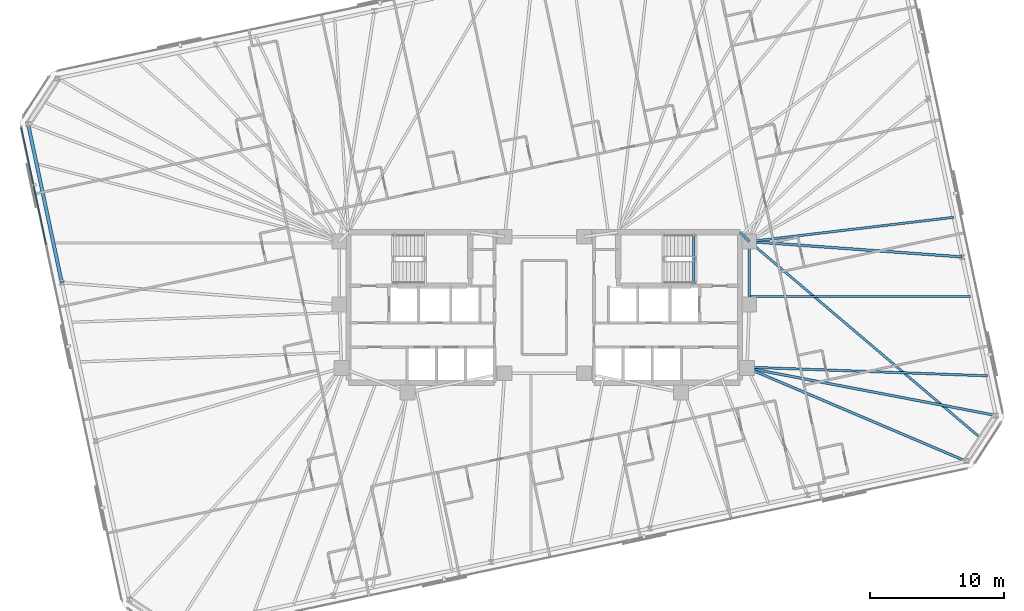
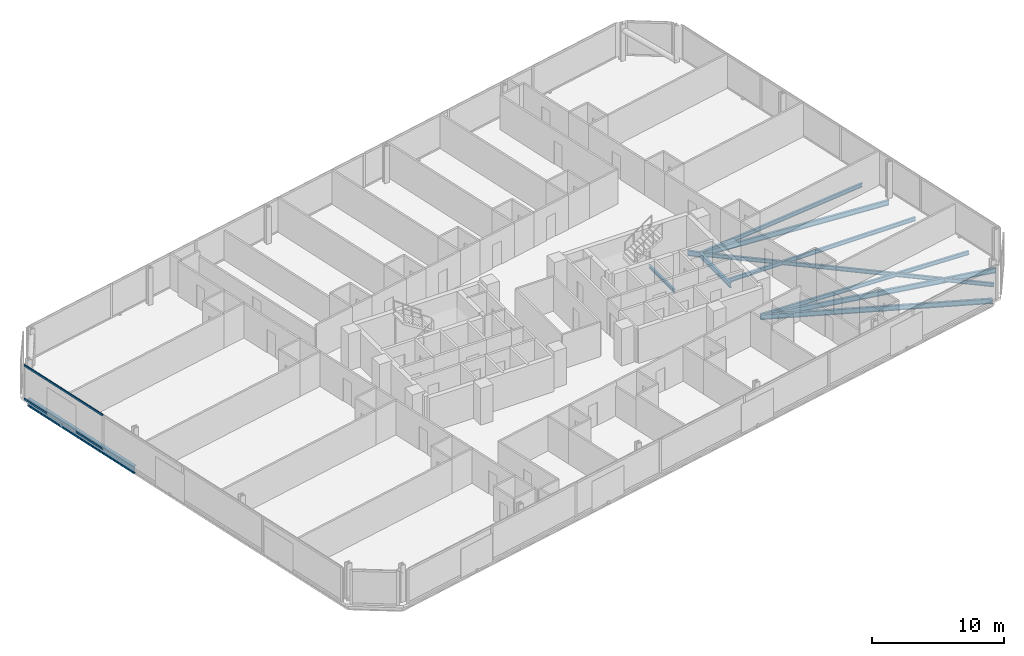
# One storey, part 8 of 20: 11 beams, 2 members, 1 element without a shape of its own.
"""IFC4 building model written with IfcOpenShell, lengths in metres."""

from ifc_helpers import new_model, si_unit, direction, frame, origin, origin_2d, place, context, subcontext, project, spatial, rectangle, i_section, extrude, material, material_profile, profile_set, type_object, element, aggregate, save


model = new_model("IFC4")

# Units and contexts
model_context = context("Model", 3, precision=1e-05, world=origin(), true_north=direction((0.0, 1.0)))
body_context = subcontext(model_context, "Body", "Model", "MODEL_VIEW")
ifc_project = project(units=[si_unit("LENGTHUNIT", "METRE"), si_unit("AREAUNIT", "SQUARE_METRE"), si_unit("VOLUMEUNIT", "CUBIC_METRE"), si_unit("PLANEANGLEUNIT", "RADIAN"), si_unit("MASSUNIT", "GRAM", prefix="KILO")], contexts=[model_context])

# Site, building, storey
site_placement = place(None, origin())
site = spatial("IfcSite", under=ifc_project, at=site_placement, CompositionType="ELEMENT")
building_placement = place(site_placement, origin())
building = spatial("IfcBuilding", under=site, at=building_placement, Name="Menara Jurai Vektor", CompositionType="ELEMENT")
storey_placement = place(building_placement, frame((0.0, 0.0, 158.199951171875)))
storey = spatial("IfcBuildingStorey", under=building, at=storey_placement, Name="L40", CompositionType="ELEMENT", Elevation=158.199951171875)

# Curtain wall, members
ifc_material_1 = material(Name="Anodised Pale Aluminium & Low-E Double Glazing", Category="aluminium")
curtain_wall_type = type_object("IfcCurtainWallType", Name="CW-BLK3", PredefinedType="NOTDEFINED", material=ifc_material_1)
curtain_wall_placement = place(storey_placement, origin())
curtain_wall = element("IfcCurtainWall", 1, at=curtain_wall_placement, inside=storey, type_object=curtain_wall_type, Name="Unitised Curtain Wall L40 F07", PredefinedType="NOTDEFINED")
ifc_material_2 = material(Name="Anodised Pale Aluminium Transom", Category="aluminium")
ifc_material_profile_1 = material_profile(ifc_material_2, rectangle(XDim=0.0849609375, YDim=0.175048828125, at=origin_2d()), Name="ALU TRN 85x175")
ifc_profile_set_1 = profile_set([ifc_material_profile_1], Name="Anodised Pale Aluminium Transom")
member_type = type_object("IfcMemberType", Name="CW-BLK3-TRN", PredefinedType="USERDEFINED", material=ifc_profile_set_1)
member_1_placement = place(storey_placement, frame((-38.896728515625, 13.378173828125, 0.04248046875), z_axis=(0.207899517354, -0.978150188204, 0.0), x_axis=(0.978150188204, 0.207899517354, 0.0)))
member_1 = element("IfcMember", 2, at=member_1_placement, type_object=member_type, Name="CW-03 transom 1.1", ObjectType="TRANSOM", PredefinedType="USERDEFINED", context=body_context, shape_type="SweptSolid", body=[
    extrude(rectangle(XDim=0.0849609375, YDim=0.175048828125, at=origin_2d()), origin(), (0.0, 0.0, 1.0), 8.882568359375),
])
member_2_placement = place(storey_placement, frame((-38.896728515625, 13.378173828125, 3.132568359375), z_axis=(0.207899517354, -0.978150188204, 0.0), x_axis=(0.978150188204, 0.207899517354, 0.0)))
member_2 = element("IfcMember", 3, at=member_2_placement, type_object=member_type, Name="CW-03 transom 1.2", ObjectType="TRANSOM", PredefinedType="USERDEFINED", context=body_context, shape_type="SweptSolid", body=[
    extrude(rectangle(XDim=0.0849609375, YDim=0.175048828125, at=origin_2d()), origin(), (0.0, 0.0, 1.0), 8.882568359375),
])
aggregate(curtain_wall, [member_1, member_2])

# Beams
ifc_material_3 = material(Name="Steel S355", Category="steel")
ifc_material_profile_2 = material_profile(ifc_material_3, i_section(OverallWidth=0.19091796875, OverallDepth=0.4599609375, WebThickness=0.010009765625, FlangeThickness=0.01611328125, FilletRadius=0.010009765625, at=origin_2d()), Name="UKB 457x191x82")
ifc_profile_set_2 = profile_set([ifc_material_profile_2], Name="Steel S355")
beam_type_1 = type_object("IfcBeamType", Name="STR-BM-457", PredefinedType="BEAM", material=ifc_profile_set_2)
beam_1_placement = place(storey_placement, frame((14.56005859375, 5.60009765625, -0.454833984375), z_axis=(0.701871936926, -0.712303154672, 0.0), x_axis=(0.712303154672, 0.701871936926, 0.0)))
element("IfcBeam", 4, at=beam_1_placement, inside=storey, type_object=beam_type_1, Name="Core Ring Header Girder L40-CHE-N2", PredefinedType="BEAM", context=body_context, shape_type="SweptSolid", body=[
    extrude(i_section(OverallWidth=0.19091796875, OverallDepth=0.4599609375, WebThickness=0.010009765625, FlangeThickness=0.01611328125, FilletRadius=0.010009765625, at=origin_2d()), origin(), (0.0, 0.0, 1.0), 0.98291015625),
])
beam_2_placement = place(storey_placement, frame((15.25, 0.219970703125, -0.454833984375), z_axis=(0.0, 1.0, 0.0), x_axis=(-1.0, 0.0, 0.0)))
element("IfcBeam", 5, at=beam_2_placement, inside=storey, type_object=beam_type_1, Name="Core Ring Header Girder L40-CHE-E1", PredefinedType="BEAM", context=body_context, shape_type="SweptSolid", body=[
    extrude(i_section(OverallWidth=0.19091796875, OverallDepth=0.4599609375, WebThickness=0.010009765625, FlangeThickness=0.01611328125, FilletRadius=0.010009765625, at=origin_2d()), origin(), (0.0, 0.0, 1.0), 4.679931640625),
])
beam_3_placement = place(storey_placement, frame((31.376220703125, -11.438720703125, -0.454833984375), z_axis=(-0.920069342045, 0.391755543458, 0.0), x_axis=(-0.391755543458, -0.920069342045, 0.0)))
element("IfcBeam", 6, at=beam_3_placement, inside=storey, type_object=beam_type_1, Name="Radial Floor Girder L40-S6", PredefinedType="BEAM", context=body_context, shape_type="SweptSolid", body=[
    extrude(i_section(OverallWidth=0.19091796875, OverallDepth=0.4599609375, WebThickness=0.010009765625, FlangeThickness=0.01611328125, FilletRadius=0.010009765625, at=origin_2d()), origin(), (0.0, 0.0, 1.0), 17.7119140625),
])
beam_4_placement = place(storey_placement, frame((33.588623046875, -8.031982421875, -0.454833984375), z_axis=(-0.982274660407, 0.187447303322, 0.0), x_axis=(-0.187447303322, -0.982274660407, 0.0)))
element("IfcBeam", 7, at=beam_4_placement, inside=storey, type_object=beam_type_1, Name="Radial Floor Girder L40-E1", PredefinedType="BEAM", context=body_context, shape_type="SweptSolid", body=[
    extrude(i_section(OverallWidth=0.19091796875, OverallDepth=0.4599609375, WebThickness=0.010009765625, FlangeThickness=0.01611328125, FilletRadius=0.010009765625, at=origin_2d()), origin(), (0.0, 0.0, 1.0), 18.842529296875),
])
beam_5_placement = place(storey_placement, frame((31.082763671875, 3.75634765625, -0.454833984375), z_axis=(-0.997401783921, 0.072039443584, 0.0), x_axis=(-0.072039443584, -0.997401783921, 0.0)))
element("IfcBeam", 8, at=beam_5_placement, inside=storey, type_object=beam_type_1, Name="Radial Floor Girder L40-E2", PredefinedType="BEAM", context=body_context, shape_type="SweptSolid", body=[
    extrude(i_section(OverallWidth=0.19091796875, OverallDepth=0.4599609375, WebThickness=0.010009765625, FlangeThickness=0.01611328125, FilletRadius=0.010009765625, at=origin_2d()), origin(), (0.0, 0.0, 1.0), 15.8740234375),
])
ifc_material_profile_3 = material_profile(ifc_material_3, i_section(OverallWidth=0.172119140625, OverallDepth=0.35498046875, WebThickness=0.007080078125, FlangeThickness=0.011962890625, FilletRadius=0.010009765625, at=origin_2d()), Name="UKB 356x171x51")
ifc_profile_set_3 = profile_set([ifc_material_profile_3], Name="Steel S355")
beam_type_2 = type_object("IfcBeamType", Name="STR-JS-356", PredefinedType="JOIST", material=ifc_profile_set_3)
beam_6_placement = place(storey_placement, frame((32.482421875, -9.7353515625, -0.40234375), z_axis=(-0.762207822165, 0.6473323998, 0.0), x_axis=(-0.6473323998, -0.762207822165, 0.0)))
element("IfcBeam", 9, at=beam_6_placement, inside=storey, type_object=beam_type_2, Name="Radial Secondary Floor Joist L40-JS10", PredefinedType="JOIST", context=body_context, shape_type="SweptSolid", body=[
    extrude(i_section(OverallWidth=0.172119140625, OverallDepth=0.35498046875, WebThickness=0.007080078125, FlangeThickness=0.011962890625, FilletRadius=0.010009765625, at=origin_2d()), origin(), (0.0, 0.0, 1.0), 22.608642578125),
])
beam_7_placement = place(storey_placement, frame((32.962158203125, -5.0849609375, -0.40234375), z_axis=(-0.999351908775, 0.035996700238, 0.0), x_axis=(-0.035996700238, -0.999351908775, 0.0)))
element("IfcBeam", 10, at=beam_7_placement, inside=storey, type_object=beam_type_2, Name="Radial Secondary Floor Joist L40-JS11", PredefinedType="JOIST", context=body_context, shape_type="SweptSolid", body=[
    extrude(i_section(OverallWidth=0.172119140625, OverallDepth=0.35498046875, WebThickness=0.007080078125, FlangeThickness=0.011962890625, FilletRadius=0.010009765625, at=origin_2d()), origin(), (0.0, 0.0, 1.0), 17.8916015625),
])
beam_8_placement = place(storey_placement, frame((31.709228515625, 0.809326171875, -0.40234375), z_axis=(-1.0, 0.0, 0.0), x_axis=(0.0, -1.0, 0.0)))
element("IfcBeam", 11, at=beam_8_placement, inside=storey, type_object=beam_type_2, Name="Radial Secondary Floor Joist L40-JS12", PredefinedType="JOIST", context=body_context, shape_type="SweptSolid", body=[
    extrude(i_section(OverallWidth=0.172119140625, OverallDepth=0.35498046875, WebThickness=0.007080078125, FlangeThickness=0.011962890625, FilletRadius=0.010009765625, at=origin_2d()), origin(), (0.0, 0.0, 1.0), 16.459228515625),
])
beam_9_placement = place(storey_placement, frame((30.456298828125, 6.70361328125, -0.40234375), z_axis=(-0.993038492178, -0.11779029269, 0.0), x_axis=(0.11779029269, -0.993038492178, 0.0)))
element("IfcBeam", 12, at=beam_9_placement, inside=storey, type_object=beam_type_2, Name="Radial Secondary Floor Joist L40-JS13", PredefinedType="JOIST", context=body_context, shape_type="SweptSolid", body=[
    extrude(i_section(OverallWidth=0.172119140625, OverallDepth=0.35498046875, WebThickness=0.007080078125, FlangeThickness=0.011962890625, FilletRadius=0.010009765625, at=origin_2d()), origin(), (0.0, 0.0, 1.0), 15.31298828125),
])
ifc_material_profile_4 = material_profile(ifc_material_3, i_section(OverallWidth=0.1650390625, OverallDepth=0.302978515625, WebThickness=0.006103515625, FlangeThickness=0.010009765625, FilletRadius=0.009033203125, at=origin_2d()), Name="UKB 305x165x40")
ifc_profile_set_4 = profile_set([ifc_material_profile_4], Name="Steel S355")
beam_type_3 = type_object("IfcBeamType", Name="STR-LN-305", PredefinedType="LINTEL", material=ifc_profile_set_4)
beam_10_placement = place(storey_placement, frame((11.1201171875, 1.60009765625, -0.37646484375), z_axis=(0.0, 1.0, 0.0), x_axis=(-1.0, 0.0, 0.0)))
element("IfcBeam", 13, at=beam_10_placement, inside=storey, type_object=beam_type_3, Name="Stair Well Floor Trimmer ST2 L40", PredefinedType="LINTEL", context=body_context, shape_type="SweptSolid", body=[
    extrude(i_section(OverallWidth=0.1650390625, OverallDepth=0.302978515625, WebThickness=0.006103515625, FlangeThickness=0.010009765625, FilletRadius=0.009033203125, at=origin_2d()), origin(), (0.0, 0.0, 1.0), 3.81982421875),
])
ifc_material_4 = material(Name="Steel S460", Category="steel")
ifc_material_profile_5 = material_profile(ifc_material_4, i_section(OverallWidth=0.256103515625, OverallDepth=0.693115234375, WebThickness=0.013916015625, FlangeThickness=0.02392578125, FilletRadius=0.014892578125, at=origin_2d()), Name="UKB 686x254x170")
ifc_profile_set_5 = profile_set([ifc_material_profile_5], Name="Steel S460")
beam_type_4 = type_object("IfcBeamType", Name="STR-SP-686", PredefinedType="SPANDREL", material=ifc_profile_set_5)
beam_11_placement = place(storey_placement, frame((-38.388671875, 13.632080078125, -0.571533203125), z_axis=(0.207921262698, -0.978145566119, 0.0), x_axis=(0.978145566119, 0.207921262698, 0.0)))
element("IfcBeam", 14, at=beam_11_placement, inside=storey, type_object=beam_type_4, Name="Exoskeleton Spandrel Beam L40-17", PredefinedType="SPANDREL", context=body_context, shape_type="SweptSolid", body=[
    extrude(i_section(OverallWidth=0.256103515625, OverallDepth=0.693115234375, WebThickness=0.013916015625, FlangeThickness=0.02392578125, FilletRadius=0.014892578125, at=origin_2d()), origin(), (0.0, 0.0, 1.0), 12.052001953125),
])

save(model, "model.ifc")
